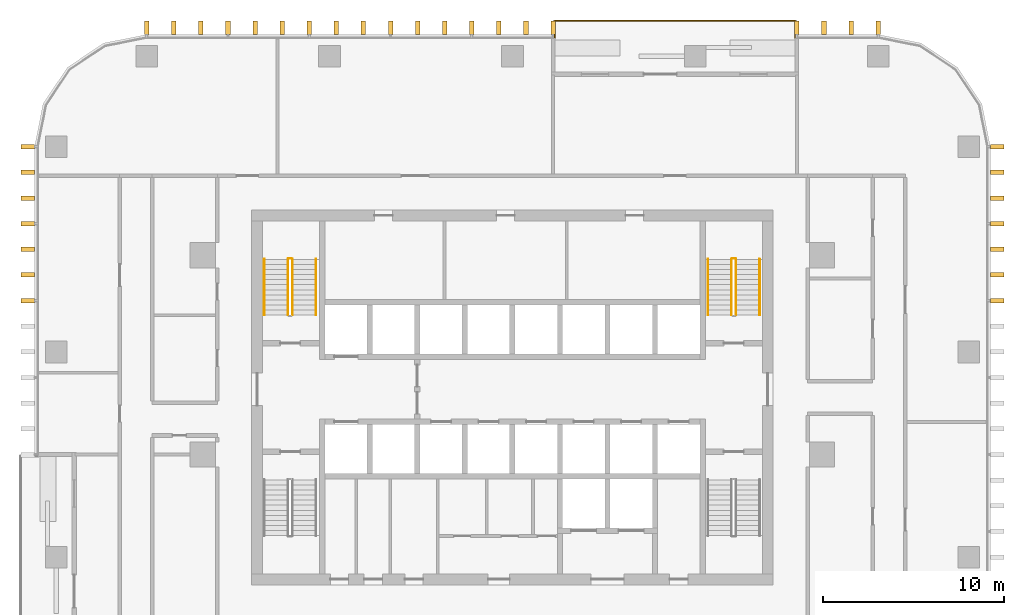
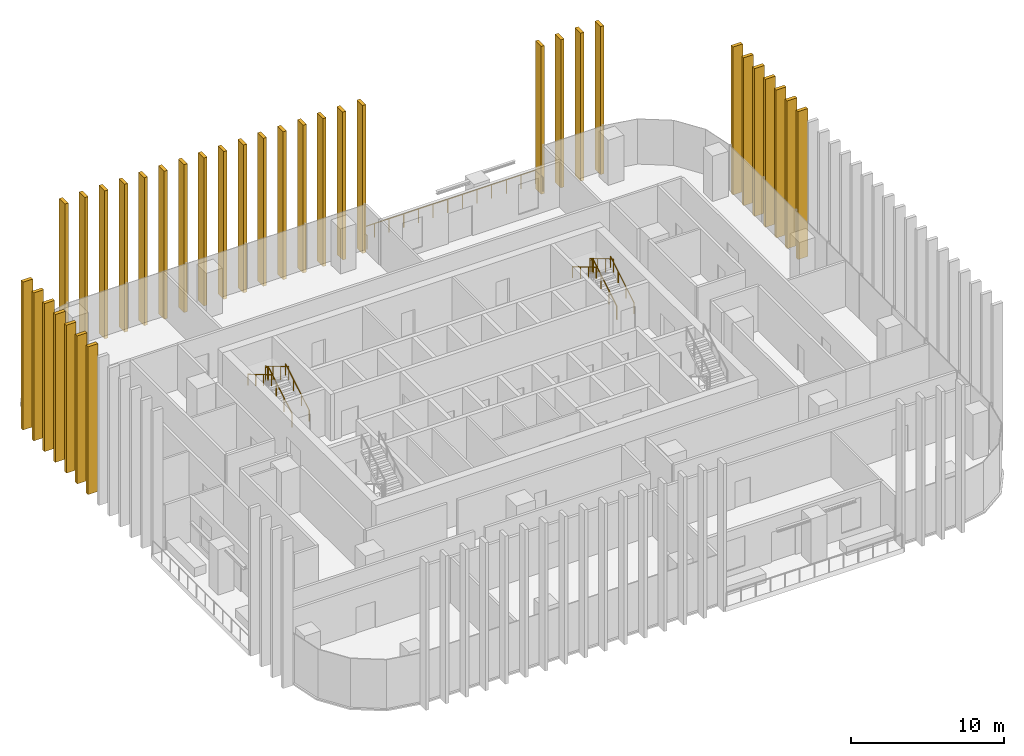
# One storey, part 16 of 16: 34 shading devices, 9 railings.
"""IFC4 building model written with IfcOpenShell, lengths in metres."""

from ifc_helpers import new_model, si_unit, direction, frame, origin, origin_2d, place, context, subcontext, project, spatial, rectangle, circle, extrude, material, type_object, element, save


model = new_model("IFC4")

# Units and contexts
model_context = context("Model", 3, precision=1e-05, world=origin(), true_north=direction((0.0, 1.0)))
body_context = subcontext(model_context, "Body", "Model", "MODEL_VIEW")
ifc_project = project(units=[si_unit("LENGTHUNIT", "METRE"), si_unit("AREAUNIT", "SQUARE_METRE"), si_unit("VOLUMEUNIT", "CUBIC_METRE"), si_unit("PLANEANGLEUNIT", "RADIAN"), si_unit("MASSUNIT", "GRAM", prefix="KILO")], contexts=[model_context])

# Site, building, storey
site_placement = place(None, origin())
site = spatial("IfcSite", under=ifc_project, at=site_placement, CompositionType="ELEMENT")
building_placement = place(site_placement, origin())
building = spatial("IfcBuilding", under=site, at=building_placement, Name="Mopane Tessera Tower", CompositionType="ELEMENT")
storey_placement = place(building_placement, frame((0.0, 0.0, 193.0)))
storey = spatial("IfcBuildingStorey", under=building, at=storey_placement, Name="L40", CompositionType="ELEMENT", Elevation=193.0)

# Shading devices
ifc_material_1 = material(Name="Glazed ceramic tile")
shading_device_type = type_object("IfcShadingDeviceType", Name="Ceramic tile fin 750 x 250 mm", PredefinedType="USERDEFINED", material=ifc_material_1)
for number, where, z_axis, x_axis, name in (
    (1, (26.77490234375, 8.5, -0.39990234375), (0.0, 0.0, 1.0), (0.0, 1.0, 0.0), "e:fin:L40:E:6:0"),
    (2, (26.77490234375, 9.916748046875, -0.39990234375), (0.0, 0.0, 1.0), (0.0, 1.0, 0.0), "e:fin:L40:E:6:1"),
    (3, (26.77490234375, 11.333251953125, -0.39990234375), (0.0, 0.0, 1.0), (0.0, 1.0, 0.0), "e:fin:L40:E:6:2"),
    (4, (26.77490234375, 12.75, -0.39990234375), (0.0, 0.0, 1.0), (0.0, 1.0, 0.0), "e:fin:L40:E:7:0"),
    (5, (26.77490234375, 14.166748046875, -0.39990234375), (0.0, 0.0, 1.0), (0.0, 1.0, 0.0), "e:fin:L40:E:7:1"),
    (6, (26.77490234375, 15.583251953125, -0.39990234375), (0.0, 0.0, 1.0), (0.0, 1.0, 0.0), "e:fin:L40:E:7:2"),
    (7, (26.77490234375, 17.0, -0.39990234375), (0.0, 0.0, 1.0), (0.0, 1.0, 0.0), "e:fin:L40:E:7:3"),
    (8, (20.199951171875, 23.574951171875, -0.39990234375), (0.0, 0.0, 1.0), (-1.0, 0.0, 0.0), "e:fin:L40:N:0:0"),
    (9, (18.70361328125, 23.574951171875, -0.39990234375), (0.0, 0.0, 1.0), (-1.0, 0.0, 0.0), "e:fin:L40:N:0:1"),
    (10, (17.20751953125, 23.574951171875, -0.39990234375), (0.0, 0.0, 1.0), (-1.0, 0.0, 0.0), "e:fin:L40:N:0:2"),
    (11, (15.711181640625, 23.574951171875, -0.39990234375), (0.0, 0.0, 1.0), (-1.0, 0.0, 0.0), "e:fin:L40:N:0:3"),
    (12, (2.244384765625, 23.574951171875, -0.39990234375), (0.0, 0.0, 1.0), (-1.0, 0.0, 0.0), "e:fin:L40:N:4:0"),
    (13, (0.748046875, 23.574951171875, -0.39990234375), (0.0, 0.0, 1.0), (-1.0, 0.0, 0.0), "e:fin:L40:N:4:1"),
    (14, (-0.748046875, 23.574951171875, -0.39990234375), (0.0, 0.0, 1.0), (-1.0, 0.0, 0.0), "e:fin:L40:N:4:2"),
    (15, (-2.244384765625, 23.574951171875, -0.39990234375), (0.0, 0.0, 1.0), (-1.0, 0.0, 0.0), "e:fin:L40:N:5:0"),
    (16, (-3.74072265625, 23.574951171875, -0.39990234375), (0.0, 0.0, 1.0), (-1.0, 0.0, 0.0), "e:fin:L40:N:5:1"),
    (17, (-5.237060546875, 23.574951171875, -0.39990234375), (0.0, 0.0, 1.0), (-1.0, 0.0, 0.0), "e:fin:L40:N:5:2"),
    (18, (-6.7333984375, 23.574951171875, -0.39990234375), (0.0, 0.0, 1.0), (-1.0, 0.0, 0.0), "e:fin:L40:N:6:0"),
    (19, (-8.229736328125, 23.574951171875, -0.39990234375), (0.0, 0.0, 1.0), (-1.0, 0.0, 0.0), "e:fin:L40:N:6:1"),
    (20, (-9.725830078125, 23.574951171875, -0.39990234375), (0.0, 0.0, 1.0), (-1.0, 0.0, 0.0), "e:fin:L40:N:6:2"),
    (21, (-11.22216796875, 23.574951171875, -0.39990234375), (0.0, 0.0, 1.0), (-1.0, 0.0, 0.0), "e:fin:L40:N:7:0"),
    (22, (-12.718505859375, 23.574951171875, -0.39990234375), (0.0, 0.0, 1.0), (-1.0, 0.0, 0.0), "e:fin:L40:N:7:1"),
    (23, (-14.21484375, 23.574951171875, -0.39990234375), (0.0, 0.0, 1.0), (-1.0, 0.0, 0.0), "e:fin:L40:N:7:2"),
    (24, (-15.711181640625, 23.574951171875, -0.39990234375), (0.0, 0.0, 1.0), (-1.0, 0.0, 0.0), "e:fin:L40:N:8:0"),
    (25, (-17.20751953125, 23.574951171875, -0.39990234375), (0.0, 0.0, 1.0), (-1.0, 0.0, 0.0), "e:fin:L40:N:8:1"),
    (26, (-18.70361328125, 23.574951171875, -0.39990234375), (0.0, 0.0, 1.0), (-1.0, 0.0, 0.0), "e:fin:L40:N:8:2"),
    (27, (-20.199951171875, 23.574951171875, -0.39990234375), (0.0, 0.0, 1.0), (-1.0, 0.0, 0.0), "e:fin:L40:N:8:3"),
    (28, (-26.77490234375, 17.0, -0.39990234375), (0.0, 0.0, 1.0), (0.0, -1.0, 0.0), "e:fin:L40:W:0:0"),
    (29, (-26.77490234375, 15.583251953125, -0.39990234375), (0.0, 0.0, 1.0), (0.0, -1.0, 0.0), "e:fin:L40:W:0:1"),
    (30, (-26.77490234375, 14.166748046875, -0.39990234375), (0.0, 0.0, 1.0), (0.0, -1.0, 0.0), "e:fin:L40:W:0:2"),
    (31, (-26.77490234375, 12.75, -0.39990234375), (0.0, 0.0, 1.0), (0.0, -1.0, 0.0), "e:fin:L40:W:1:0"),
    (32, (-26.77490234375, 11.333251953125, -0.39990234375), (0.0, 0.0, 1.0), (0.0, -1.0, 0.0), "e:fin:L40:W:1:1"),
    (33, (-26.77490234375, 9.916748046875, -0.39990234375), (0.0, 0.0, 1.0), (0.0, -1.0, 0.0), "e:fin:L40:W:1:2"),
    (34, (-26.77490234375, 8.5, -0.39990234375), (0.0, 0.0, 1.0), (0.0, -1.0, 0.0), "e:fin:L40:W:2:0"),
):
    element("IfcShadingDevice", number, at=place(storey_placement, frame(where, z_axis=z_axis, x_axis=x_axis)), inside=storey, type_object=shading_device_type, Name=name, ObjectType="FIN", PredefinedType="USERDEFINED", context=body_context, shape_type="SweptSolid", body=[
        extrude(rectangle(XDim=0.25, YDim=0.75, at=origin_2d()), origin(), (0.0, 0.0, 1.0), 11.800048828125),
    ])

# Railings
ifc_material_2 = material(Name="Powder-coated steel balustrade", Category="steel")
railing_type_1 = type_object("IfcRailingType", Name="Escape stair guard 1100 mm", PredefinedType="GUARDRAIL", material=ifc_material_2)
railing_1_placement = place(storey_placement, frame((-12.14990234375, 7.699951171875, 0.166748046875)))
element("IfcRailing", 35, at=railing_1_placement, inside=storey, type_object=railing_type_1, Name="L40 ST2 stair guard 1", PredefinedType="GUARDRAIL", context=body_context, shape_type="SweptSolid", body=[
    extrude(circle(Radius=0.02392578125, at=origin_2d()), frame((0.0, 0.0, 1.076171875), z_axis=(0.0, 0.859308565015, 0.511457515432), x_axis=(-1.0, 0.0, 0.0)), (0.0, 0.0, 1.0), 3.58447265625),
    extrude(circle(Radius=0.02392578125, at=origin_2d()), frame((0.0, 3.080078125, 2.9091796875), z_axis=(-0.707106781187, 0.707106781187, 0.0), x_axis=(-0.707106781187, -0.707106781187, 0.0)), (0.0, 0.0, 1.0), 0.07080078125),
    extrude(circle(Radius=0.02392578125, at=origin_2d()), frame((-0.050048828125, 3.130126953125, 2.9091796875), z_axis=(-1.0, 0.0, 0.0), x_axis=(0.0, -1.0, 0.0)), (0.0, 0.0, 1.0), 0.150146484375),
    extrude(circle(Radius=0.02099609375, at=origin_2d()), origin(), (0.0, 0.0, 1.0), 1.052001953125),
    extrude(circle(Radius=0.02099609375, at=origin_2d()), frame((0.0, 1.026611328125, 0.611083984375)), (0.0, 0.0, 1.0), 1.052001953125),
    extrude(circle(Radius=0.02099609375, at=origin_2d()), frame((0.0, 2.053466796875, 1.22216796875)), (0.0, 0.0, 1.0), 1.052001953125),
    extrude(circle(Radius=0.02099609375, at=origin_2d()), frame((0.0, 3.080078125, 1.833251953125)), (0.0, 0.0, 1.0), 1.052001953125),
    extrude(circle(Radius=0.02099609375, at=origin_2d()), frame((-0.050048828125, 3.130126953125, 1.833251953125)), (0.0, 0.0, 1.0), 1.052001953125),
    extrude(circle(Radius=0.02099609375, at=origin_2d()), frame((-0.2001953125, 3.130126953125, 1.833251953125)), (0.0, 0.0, 1.0), 1.052001953125),
])
railing_2_placement = place(storey_placement, frame((-12.39990234375, 10.780029296875, 2.166748046875)))
element("IfcRailing", 36, at=railing_2_placement, inside=storey, type_object=railing_type_1, Name="L40 ST2 stair guard 2", PredefinedType="GUARDRAIL", context=body_context, shape_type="SweptSolid", body=[
    extrude(circle(Radius=0.02392578125, at=origin_2d()), frame((0.0, 0.0, 1.076171875), z_axis=(0.0, -0.859308565015, 0.511457515432), x_axis=(1.0, 0.0, 0.0)), (0.0, 0.0, 1.0), 3.58447265625),
    extrude(circle(Radius=0.02099609375, at=origin_2d()), origin(), (0.0, 0.0, 1.0), 1.052001953125),
    extrude(circle(Radius=0.02099609375, at=origin_2d()), frame((0.0, -1.026611328125, 0.611083984375)), (0.0, 0.0, 1.0), 1.052001953125),
    extrude(circle(Radius=0.02099609375, at=origin_2d()), frame((0.0, -2.053466796875, 1.22216796875)), (0.0, 0.0, 1.0), 1.052001953125),
    extrude(circle(Radius=0.02099609375, at=origin_2d()), frame((0.0, -3.080078125, 1.833251953125)), (0.0, 0.0, 1.0), 1.052001953125),
])
railing_3_placement = place(storey_placement, frame((12.35009765625, 7.699951171875, 0.166748046875)))
element("IfcRailing", 37, at=railing_3_placement, inside=storey, type_object=railing_type_1, Name="L40 ST4 stair guard 1", PredefinedType="GUARDRAIL", context=body_context, shape_type="SweptSolid", body=[
    extrude(circle(Radius=0.02392578125, at=origin_2d()), frame((0.0, 0.0, 1.076171875), z_axis=(0.0, 0.859308565015, 0.511457515432), x_axis=(-1.0, 0.0, 0.0)), (0.0, 0.0, 1.0), 3.58447265625),
    extrude(circle(Radius=0.02392578125, at=origin_2d()), frame((0.0, 3.080078125, 2.9091796875), z_axis=(-0.707106781187, 0.707106781187, 0.0), x_axis=(-0.707106781187, -0.707106781187, 0.0)), (0.0, 0.0, 1.0), 0.07080078125),
    extrude(circle(Radius=0.02392578125, at=origin_2d()), frame((-0.050048828125, 3.130126953125, 2.9091796875), z_axis=(-1.0, 0.0, 0.0), x_axis=(0.0, -1.0, 0.0)), (0.0, 0.0, 1.0), 0.150146484375),
    extrude(circle(Radius=0.02099609375, at=origin_2d()), origin(), (0.0, 0.0, 1.0), 1.052001953125),
    extrude(circle(Radius=0.02099609375, at=origin_2d()), frame((0.0, 1.026611328125, 0.611083984375)), (0.0, 0.0, 1.0), 1.052001953125),
    extrude(circle(Radius=0.02099609375, at=origin_2d()), frame((0.0, 2.053466796875, 1.22216796875)), (0.0, 0.0, 1.0), 1.052001953125),
    extrude(circle(Radius=0.02099609375, at=origin_2d()), frame((0.0, 3.080078125, 1.833251953125)), (0.0, 0.0, 1.0), 1.052001953125),
    extrude(circle(Radius=0.02099609375, at=origin_2d()), frame((-0.050048828125, 3.130126953125, 1.833251953125)), (0.0, 0.0, 1.0), 1.052001953125),
    extrude(circle(Radius=0.02099609375, at=origin_2d()), frame((-0.2001953125, 3.130126953125, 1.833251953125)), (0.0, 0.0, 1.0), 1.052001953125),
])
railing_4_placement = place(storey_placement, frame((12.10009765625, 10.780029296875, 2.166748046875)))
element("IfcRailing", 38, at=railing_4_placement, inside=storey, type_object=railing_type_1, Name="L40 ST4 stair guard 2", PredefinedType="GUARDRAIL", context=body_context, shape_type="SweptSolid", body=[
    extrude(circle(Radius=0.02392578125, at=origin_2d()), frame((0.0, 0.0, 1.076171875), z_axis=(0.0, -0.859308565015, 0.511457515432), x_axis=(1.0, 0.0, 0.0)), (0.0, 0.0, 1.0), 3.58447265625),
    extrude(circle(Radius=0.02099609375, at=origin_2d()), origin(), (0.0, 0.0, 1.0), 1.052001953125),
    extrude(circle(Radius=0.02099609375, at=origin_2d()), frame((0.0, -1.026611328125, 0.611083984375)), (0.0, 0.0, 1.0), 1.052001953125),
    extrude(circle(Radius=0.02099609375, at=origin_2d()), frame((0.0, -2.053466796875, 1.22216796875)), (0.0, 0.0, 1.0), 1.052001953125),
    extrude(circle(Radius=0.02099609375, at=origin_2d()), frame((0.0, -3.080078125, 1.833251953125)), (0.0, 0.0, 1.0), 1.052001953125),
])
ifc_material_3 = material(Name="Powder-coated steel balustrade", Category="steel")
railing_type_2 = type_object("IfcRailingType", Name="Escape stair handrail 900 mm", PredefinedType="HANDRAIL", material=ifc_material_3)
railing_5_placement = place(storey_placement, frame((-10.85009765625, 7.699951171875, 0.166748046875)))
element("IfcRailing", 39, at=railing_5_placement, inside=storey, type_object=railing_type_2, Name="L40 ST2 stair handrail 1", PredefinedType="HANDRAIL", context=body_context, shape_type="SweptSolid", body=[
    extrude(circle(Radius=0.02392578125, at=origin_2d()), frame((0.0, 0.0, 0.8759765625), z_axis=(0.0, 0.859308565015, 0.511457515432), x_axis=(-1.0, 0.0, 0.0)), (0.0, 0.0, 1.0), 3.58447265625),
    extrude(circle(Radius=0.02099609375, at=origin_2d()), origin(), (0.0, 0.0, 1.0), 0.851806640625),
    extrude(circle(Radius=0.02099609375, at=origin_2d()), frame((0.0, 1.026611328125, 0.611083984375)), (0.0, 0.0, 1.0), 0.851806640625),
    extrude(circle(Radius=0.02099609375, at=origin_2d()), frame((0.0, 2.053466796875, 1.22216796875)), (0.0, 0.0, 1.0), 0.851806640625),
    extrude(circle(Radius=0.02099609375, at=origin_2d()), frame((0.0, 3.080078125, 1.833251953125)), (0.0, 0.0, 1.0), 0.851806640625),
])
railing_6_placement = place(storey_placement, frame((-13.699951171875, 10.780029296875, 2.166748046875)))
element("IfcRailing", 40, at=railing_6_placement, inside=storey, type_object=railing_type_2, Name="L40 ST2 stair handrail 2", PredefinedType="HANDRAIL", context=body_context, shape_type="SweptSolid", body=[
    extrude(circle(Radius=0.02392578125, at=origin_2d()), frame((0.0, 0.0, 0.8759765625), z_axis=(0.0, -0.859308565015, 0.511457515432), x_axis=(1.0, 0.0, 0.0)), (0.0, 0.0, 1.0), 3.58447265625),
    extrude(circle(Radius=0.02099609375, at=origin_2d()), origin(), (0.0, 0.0, 1.0), 0.851806640625),
    extrude(circle(Radius=0.02099609375, at=origin_2d()), frame((0.0, -1.026611328125, 0.611083984375)), (0.0, 0.0, 1.0), 0.851806640625),
    extrude(circle(Radius=0.02099609375, at=origin_2d()), frame((0.0, -2.053466796875, 1.22216796875)), (0.0, 0.0, 1.0), 0.851806640625),
    extrude(circle(Radius=0.02099609375, at=origin_2d()), frame((0.0, -3.080078125, 1.833251953125)), (0.0, 0.0, 1.0), 0.851806640625),
])
railing_7_placement = place(storey_placement, frame((13.64990234375, 7.699951171875, 0.166748046875)))
element("IfcRailing", 41, at=railing_7_placement, inside=storey, type_object=railing_type_2, Name="L40 ST4 stair handrail 1", PredefinedType="HANDRAIL", context=body_context, shape_type="SweptSolid", body=[
    extrude(circle(Radius=0.02392578125, at=origin_2d()), frame((0.0, 0.0, 0.8759765625), z_axis=(0.0, 0.859308565015, 0.511457515432), x_axis=(-1.0, 0.0, 0.0)), (0.0, 0.0, 1.0), 3.58447265625),
    extrude(circle(Radius=0.02099609375, at=origin_2d()), origin(), (0.0, 0.0, 1.0), 0.851806640625),
    extrude(circle(Radius=0.02099609375, at=origin_2d()), frame((0.0, 1.026611328125, 0.611083984375)), (0.0, 0.0, 1.0), 0.851806640625),
    extrude(circle(Radius=0.02099609375, at=origin_2d()), frame((0.0, 2.053466796875, 1.22216796875)), (0.0, 0.0, 1.0), 0.851806640625),
    extrude(circle(Radius=0.02099609375, at=origin_2d()), frame((0.0, 3.080078125, 1.833251953125)), (0.0, 0.0, 1.0), 0.851806640625),
])
railing_8_placement = place(storey_placement, frame((10.800048828125, 10.780029296875, 2.166748046875)))
element("IfcRailing", 42, at=railing_8_placement, inside=storey, type_object=railing_type_2, Name="L40 ST4 stair handrail 2", PredefinedType="HANDRAIL", context=body_context, shape_type="SweptSolid", body=[
    extrude(circle(Radius=0.02392578125, at=origin_2d()), frame((0.0, 0.0, 0.8759765625), z_axis=(0.0, -0.859308565015, 0.511457515432), x_axis=(1.0, 0.0, 0.0)), (0.0, 0.0, 1.0), 3.58447265625),
    extrude(circle(Radius=0.02099609375, at=origin_2d()), origin(), (0.0, 0.0, 1.0), 0.851806640625),
    extrude(circle(Radius=0.02099609375, at=origin_2d()), frame((0.0, -1.026611328125, 0.611083984375)), (0.0, 0.0, 1.0), 0.851806640625),
    extrude(circle(Radius=0.02099609375, at=origin_2d()), frame((0.0, -2.053466796875, 1.22216796875)), (0.0, 0.0, 1.0), 0.851806640625),
    extrude(circle(Radius=0.02099609375, at=origin_2d()), frame((0.0, -3.080078125, 1.833251953125)), (0.0, 0.0, 1.0), 0.851806640625),
])
ifc_material_4 = material(Name="Stainless steel S316", Category="steel")
railing_type_3 = type_object("IfcRailingType", Name="Terrace guard 1100", PredefinedType="GUARDRAIL", material=ifc_material_4)
railing_9_placement = place(storey_placement, frame((15.611083984375, 23.0, 0.0)))
element("IfcRailing", 43, at=railing_9_placement, inside=storey, type_object=railing_type_3, Name="e:nw:L40:N3:guard", PredefinedType="GUARDRAIL", context=body_context, shape_type="SweptSolid", body=[
    extrude(circle(Radius=0.02392578125, at=origin_2d()), frame((0.0, 0.0, 1.076171875), z_axis=(0.0, 1.0, 0.0), x_axis=(-1.0, 0.0, 0.0)), (0.0, 0.0, 1.0), 0.949951171875),
    extrude(circle(Radius=0.02392578125, at=origin_2d()), frame((0.0, 0.949951171875, 1.076171875), z_axis=(-1.0, 0.0, 0.0), x_axis=(0.0, -1.0, 0.0)), (0.0, 0.0, 1.0), 13.2666015625),
    extrude(circle(Radius=0.02392578125, at=origin_2d()), frame((-13.2666015625, 0.949951171875, 1.076171875), z_axis=(0.0, -1.0, 0.0), x_axis=(1.0, 0.0, 0.0)), (0.0, 0.0, 1.0), 0.949951171875),
    extrude(circle(Radius=0.02099609375, at=origin_2d()), origin(), (0.0, 0.0, 1.0), 1.052001953125),
    extrude(circle(Radius=0.02099609375, at=origin_2d()), frame((0.0, 0.949951171875, 0.0)), (0.0, 0.0, 1.0), 1.052001953125),
    extrude(circle(Radius=0.02099609375, at=origin_2d()), frame((-1.10546875, 0.949951171875, 0.0)), (0.0, 0.0, 1.0), 1.052001953125),
    extrude(circle(Radius=0.02099609375, at=origin_2d()), frame((-2.211181640625, 0.949951171875, 0.0)), (0.0, 0.0, 1.0), 1.052001953125),
    extrude(circle(Radius=0.02099609375, at=origin_2d()), frame((-3.316650390625, 0.949951171875, 0.0)), (0.0, 0.0, 1.0), 1.052001953125),
    extrude(circle(Radius=0.02099609375, at=origin_2d()), frame((-4.422119140625, 0.949951171875, 0.0)), (0.0, 0.0, 1.0), 1.052001953125),
    extrude(circle(Radius=0.02099609375, at=origin_2d()), frame((-5.52783203125, 0.949951171875, 0.0)), (0.0, 0.0, 1.0), 1.052001953125),
    extrude(circle(Radius=0.02099609375, at=origin_2d()), frame((-6.63330078125, 0.949951171875, 0.0)), (0.0, 0.0, 1.0), 1.052001953125),
    extrude(circle(Radius=0.02099609375, at=origin_2d()), frame((-7.73876953125, 0.949951171875, 0.0)), (0.0, 0.0, 1.0), 1.052001953125),
    extrude(circle(Radius=0.02099609375, at=origin_2d()), frame((-8.844482421875, 0.949951171875, 0.0)), (0.0, 0.0, 1.0), 1.052001953125),
    extrude(circle(Radius=0.02099609375, at=origin_2d()), frame((-9.949951171875, 0.949951171875, 0.0)), (0.0, 0.0, 1.0), 1.052001953125),
    extrude(circle(Radius=0.02099609375, at=origin_2d()), frame((-11.055419921875, 0.949951171875, 0.0)), (0.0, 0.0, 1.0), 1.052001953125),
    extrude(circle(Radius=0.02099609375, at=origin_2d()), frame((-12.1611328125, 0.949951171875, 0.0)), (0.0, 0.0, 1.0), 1.052001953125),
    extrude(circle(Radius=0.02099609375, at=origin_2d()), frame((-13.2666015625, 0.949951171875, 0.0)), (0.0, 0.0, 1.0), 1.052001953125),
    extrude(circle(Radius=0.02099609375, at=origin_2d()), frame((-13.2666015625, 0.0, 0.0)), (0.0, 0.0, 1.0), 1.052001953125),
])

save(model, "model.ifc")
